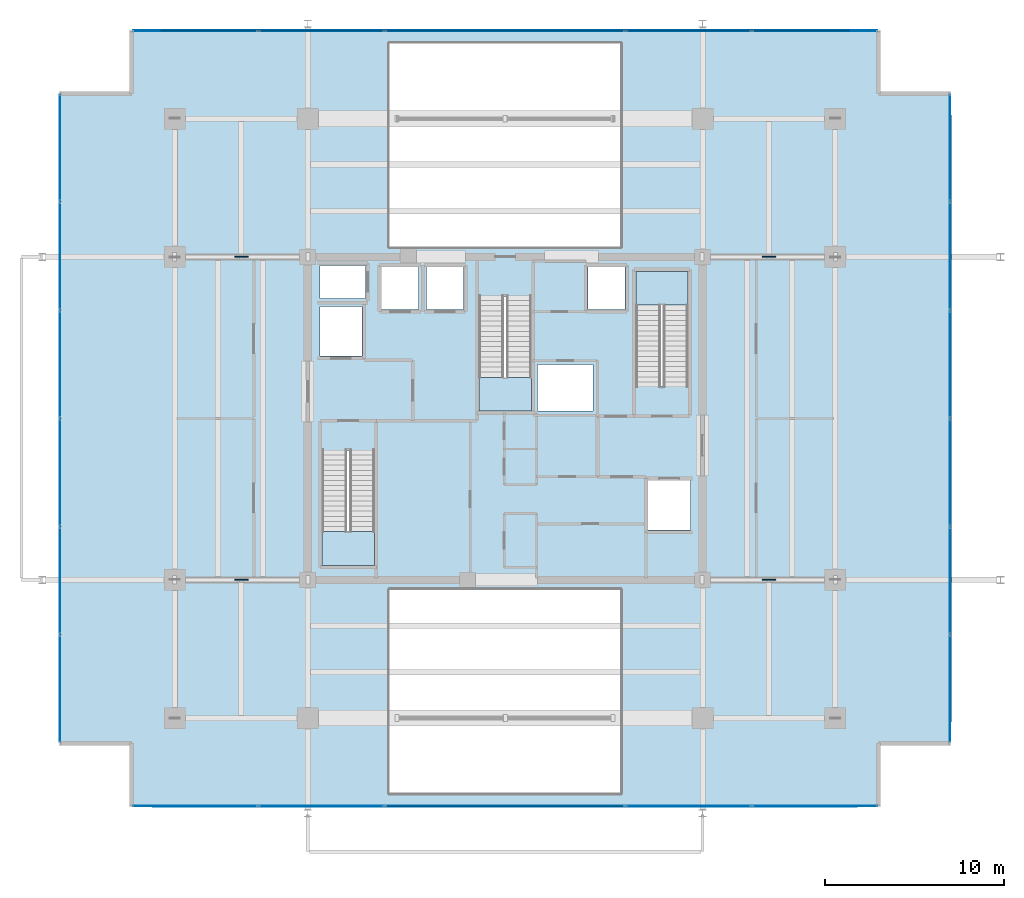
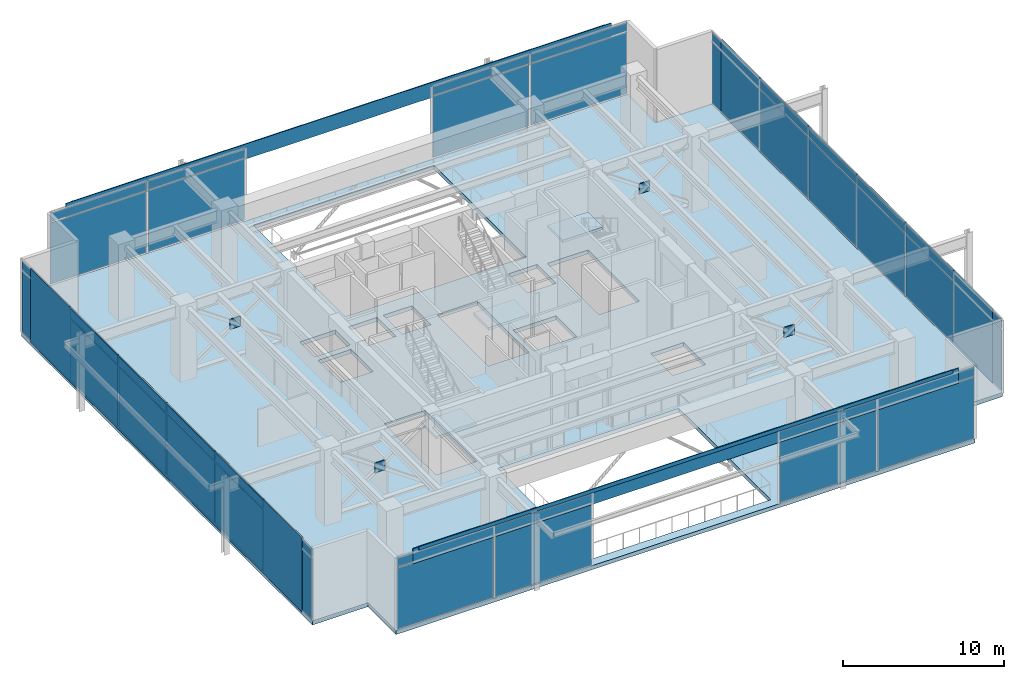
# One storey, part 19 of 26: 50 plates, 4 slabs, 9 elements without a shape of their own.
"""IFC4 building model written with IfcOpenShell, lengths in metres."""

from ifc_helpers import new_model, si_unit, direction, frame, origin, origin_2d, place, context, subcontext, project, spatial, polyline, rectangle, outline, extrude, material, layer, layer_set, type_object, element, aggregate, save


model = new_model("IFC4")

# Units and contexts
model_context = context("Model", 3, precision=1e-05, world=origin(), true_north=direction((0.0, 1.0)))
body_context = subcontext(model_context, "Body", "Model", "MODEL_VIEW")
ifc_project = project(units=[si_unit("LENGTHUNIT", "METRE"), si_unit("AREAUNIT", "SQUARE_METRE"), si_unit("VOLUMEUNIT", "CUBIC_METRE"), si_unit("PLANEANGLEUNIT", "RADIAN"), si_unit("MASSUNIT", "GRAM", prefix="KILO")], contexts=[model_context])

# Site, building, storey
site_placement = place(None, origin())
site = spatial("IfcSite", under=ifc_project, at=site_placement, CompositionType="ELEMENT")
building_placement = place(site_placement, origin())
building = spatial("IfcBuilding", under=site, at=building_placement, Name="Kovane Verandah Tower", CompositionType="ELEMENT")
storey_placement = place(building_placement, frame((0.0, 0.0, 301.0)))
storey = spatial("IfcBuildingStorey", under=building, at=storey_placement, Name="L70", CompositionType="ELEMENT", Elevation=301.0)

# Curtain wall, plates
ifc_material_1 = material(Name="Champagne Anodised Aluminium Frame with Low-E Clear Laminated Glass", Category="aluminium")
curtain_wall_type = type_object("IfcCurtainWallType", Name="CW-SYS-05-HIGH", PredefinedType="NOTDEFINED", material=ifc_material_1)
curtain_wall_1_placement = place(storey_placement, origin())
curtain_wall_1 = element("IfcCurtainWall", 1, at=curtain_wall_1_placement, inside=storey, type_object=curtain_wall_type, Name="L70 South-West Wind-Portal Curtain Wall 1", PredefinedType="NOTDEFINED")
ifc_material_2 = material(Name="Pale Champagne Anodised Aluminium Insulated Spandrel", Category="aluminium")
ifc_layer_1 = layer(ifc_material_2, 0.0400390625)
ifc_layer_set_1 = layer_set([ifc_layer_1], Name="Pale Champagne Anodised Aluminium Insulated Spandrel")
plate_type_1 = type_object("IfcPlateType", Name="PL-CW-SPD-40", PredefinedType="SHEET", material=ifc_layer_set_1)
plate_1_placement = place(storey_placement, frame((22.72509765625, 5.89990234375, 4.85498046875), z_axis=(0.0, 0.0, 1.0), x_axis=(1.0, 0.0, 0.0)))
plate_1 = element("IfcPlate", 2, at=plate_1_placement, type_object=plate_type_1, Name="L70 South-West Wind-Portal Curtain Wall 1 Spandrel Panel 1", PredefinedType="SHEET", context=body_context, shape_type="SweptSolid", body=[
    extrude(rectangle(XDim=6.909912109375, YDim=0.0400390625, at=origin_2d()), origin(), (0.0, 0.0, 1.0), 0.639892578125),
])
plate_2_placement = place(storey_placement, frame((29.77490234375, 5.89990234375, 4.85498046875), z_axis=(0.0, 0.0, 1.0), x_axis=(1.0, 0.0, 0.0)))
plate_2 = element("IfcPlate", 3, at=plate_2_placement, type_object=plate_type_1, Name="L70 South-West Wind-Portal Curtain Wall 1 Spandrel Panel 2", PredefinedType="SHEET", context=body_context, shape_type="SweptSolid", body=[
    extrude(rectangle(XDim=6.909912109375, YDim=0.0400390625, at=origin_2d()), origin(), (0.0, 0.0, 1.0), 0.639892578125),
])

curtain_wall_2_placement = place(storey_placement, origin())
curtain_wall_2 = element("IfcCurtainWall", 4, at=curtain_wall_2_placement, inside=storey, type_object=curtain_wall_type, Name="L70 South-East Wind-Portal Curtain Wall 1", PredefinedType="NOTDEFINED")
plate_3_placement = place(storey_placement, frame((50.22509765625, 5.89990234375, 4.85498046875), z_axis=(0.0, 0.0, 1.0), x_axis=(1.0, 0.0, 0.0)))
plate_3 = element("IfcPlate", 5, at=plate_3_placement, type_object=plate_type_1, Name="L70 South-East Wind-Portal Curtain Wall 1 Spandrel Panel 1", PredefinedType="SHEET", context=body_context, shape_type="SweptSolid", body=[
    extrude(rectangle(XDim=6.909912109375, YDim=0.0400390625, at=origin_2d()), origin(), (0.0, 0.0, 1.0), 0.639892578125),
])
plate_4_placement = place(storey_placement, frame((57.27490234375, 5.89990234375, 4.85498046875), z_axis=(0.0, 0.0, 1.0), x_axis=(1.0, 0.0, 0.0)))
plate_4 = element("IfcPlate", 6, at=plate_4_placement, type_object=plate_type_1, Name="L70 South-East Wind-Portal Curtain Wall 1 Spandrel Panel 2", PredefinedType="SHEET", context=body_context, shape_type="SweptSolid", body=[
    extrude(rectangle(XDim=6.909912109375, YDim=0.0400390625, at=origin_2d()), origin(), (0.0, 0.0, 1.0), 0.639892578125),
])

curtain_wall_3_placement = place(storey_placement, origin())
curtain_wall_3 = element("IfcCurtainWall", 7, at=curtain_wall_3_placement, inside=storey, type_object=curtain_wall_type, Name="L70 E Unitised Curtain Wall", PredefinedType="NOTDEFINED")
plate_5_placement = place(storey_placement, frame((64.800048828125, 12.416748046875, 4.85498046875), z_axis=(0.0, 0.0, 1.0), x_axis=(0.0, 1.0, 0.0)))
plate_5 = element("IfcPlate", 8, at=plate_5_placement, type_object=plate_type_1, Name="L70 E Unitised Curtain Wall Spandrel Panel 1", PredefinedType="SHEET", context=body_context, shape_type="SweptSolid", body=[
    extrude(rectangle(XDim=5.893310546875, YDim=0.0400390625, at=origin_2d()), origin(), (0.0, 0.0, 1.0), 0.639892578125),
])
plate_6_placement = place(storey_placement, frame((64.800048828125, 18.449951171875, 4.85498046875), z_axis=(0.0, 0.0, 1.0), x_axis=(0.0, 1.0, 0.0)))
plate_6 = element("IfcPlate", 9, at=plate_6_placement, type_object=plate_type_1, Name="L70 E Unitised Curtain Wall Spandrel Panel 2", PredefinedType="SHEET", context=body_context, shape_type="SweptSolid", body=[
    extrude(rectangle(XDim=5.893310546875, YDim=0.0400390625, at=origin_2d()), origin(), (0.0, 0.0, 1.0), 0.639892578125),
])
plate_7_placement = place(storey_placement, frame((64.800048828125, 24.4833984375, 4.85498046875), z_axis=(0.0, 0.0, 1.0), x_axis=(0.0, 1.0, 0.0)))
plate_7 = element("IfcPlate", 10, at=plate_7_placement, type_object=plate_type_1, Name="L70 E Unitised Curtain Wall Spandrel Panel 3", PredefinedType="SHEET", context=body_context, shape_type="SweptSolid", body=[
    extrude(rectangle(XDim=5.893310546875, YDim=0.0400390625, at=origin_2d()), origin(), (0.0, 0.0, 1.0), 0.639892578125),
])
plate_8_placement = place(storey_placement, frame((64.800048828125, 30.5166015625, 4.85498046875), z_axis=(0.0, 0.0, 1.0), x_axis=(0.0, 1.0, 0.0)))
plate_8 = element("IfcPlate", 11, at=plate_8_placement, type_object=plate_type_1, Name="L70 E Unitised Curtain Wall Spandrel Panel 4", PredefinedType="SHEET", context=body_context, shape_type="SweptSolid", body=[
    extrude(rectangle(XDim=5.893310546875, YDim=0.0400390625, at=origin_2d()), origin(), (0.0, 0.0, 1.0), 0.639892578125),
])
plate_9_placement = place(storey_placement, frame((64.800048828125, 36.550048828125, 4.85498046875), z_axis=(0.0, 0.0, 1.0), x_axis=(0.0, 1.0, 0.0)))
plate_9 = element("IfcPlate", 12, at=plate_9_placement, type_object=plate_type_1, Name="L70 E Unitised Curtain Wall Spandrel Panel 5", PredefinedType="SHEET", context=body_context, shape_type="SweptSolid", body=[
    extrude(rectangle(XDim=5.893310546875, YDim=0.0400390625, at=origin_2d()), origin(), (0.0, 0.0, 1.0), 0.639892578125),
])
plate_10_placement = place(storey_placement, frame((64.800048828125, 42.583251953125, 4.85498046875), z_axis=(0.0, 0.0, 1.0), x_axis=(0.0, 1.0, 0.0)))
plate_10 = element("IfcPlate", 13, at=plate_10_placement, type_object=plate_type_1, Name="L70 E Unitised Curtain Wall Spandrel Panel 6", PredefinedType="SHEET", context=body_context, shape_type="SweptSolid", body=[
    extrude(rectangle(XDim=5.893310546875, YDim=0.0400390625, at=origin_2d()), origin(), (0.0, 0.0, 1.0), 0.639892578125),
])

curtain_wall_4_placement = place(storey_placement, origin())
curtain_wall_4 = element("IfcCurtainWall", 14, at=curtain_wall_4_placement, inside=storey, type_object=curtain_wall_type, Name="L70 North-East Wind-Portal Curtain Wall 1", PredefinedType="NOTDEFINED")
plate_11_placement = place(storey_placement, frame((57.27490234375, 49.10009765625, 4.85498046875), z_axis=(0.0, 0.0, 1.0), x_axis=(-1.0, 0.0, 0.0)))
plate_11 = element("IfcPlate", 15, at=plate_11_placement, type_object=plate_type_1, Name="L70 North-East Wind-Portal Curtain Wall 1 Spandrel Panel 1", PredefinedType="SHEET", context=body_context, shape_type="SweptSolid", body=[
    extrude(rectangle(XDim=6.909912109375, YDim=0.0400390625, at=origin_2d()), origin(), (0.0, 0.0, 1.0), 0.639892578125),
])
plate_12_placement = place(storey_placement, frame((50.22509765625, 49.10009765625, 4.85498046875), z_axis=(0.0, 0.0, 1.0), x_axis=(-1.0, 0.0, 0.0)))
plate_12 = element("IfcPlate", 16, at=plate_12_placement, type_object=plate_type_1, Name="L70 North-East Wind-Portal Curtain Wall 1 Spandrel Panel 2", PredefinedType="SHEET", context=body_context, shape_type="SweptSolid", body=[
    extrude(rectangle(XDim=6.909912109375, YDim=0.0400390625, at=origin_2d()), origin(), (0.0, 0.0, 1.0), 0.639892578125),
])

curtain_wall_5_placement = place(storey_placement, origin())
curtain_wall_5 = element("IfcCurtainWall", 17, at=curtain_wall_5_placement, inside=storey, type_object=curtain_wall_type, Name="L70 North-West Wind-Portal Curtain Wall 1", PredefinedType="NOTDEFINED")
plate_13_placement = place(storey_placement, frame((29.77490234375, 49.10009765625, 4.85498046875), z_axis=(0.0, 0.0, 1.0), x_axis=(-1.0, 0.0, 0.0)))
plate_13 = element("IfcPlate", 18, at=plate_13_placement, type_object=plate_type_1, Name="L70 North-West Wind-Portal Curtain Wall 1 Spandrel Panel 1", PredefinedType="SHEET", context=body_context, shape_type="SweptSolid", body=[
    extrude(rectangle(XDim=6.909912109375, YDim=0.0400390625, at=origin_2d()), origin(), (0.0, 0.0, 1.0), 0.639892578125),
])
plate_14_placement = place(storey_placement, frame((22.72509765625, 49.10009765625, 4.85498046875), z_axis=(0.0, 0.0, 1.0), x_axis=(-1.0, 0.0, 0.0)))
plate_14 = element("IfcPlate", 19, at=plate_14_placement, type_object=plate_type_1, Name="L70 North-West Wind-Portal Curtain Wall 1 Spandrel Panel 2", PredefinedType="SHEET", context=body_context, shape_type="SweptSolid", body=[
    extrude(rectangle(XDim=6.909912109375, YDim=0.0400390625, at=origin_2d()), origin(), (0.0, 0.0, 1.0), 0.639892578125),
])

curtain_wall_6_placement = place(storey_placement, origin())
curtain_wall_6 = element("IfcCurtainWall", 20, at=curtain_wall_6_placement, inside=storey, type_object=curtain_wall_type, Name="L70 W Unitised Curtain Wall", PredefinedType="NOTDEFINED")
plate_15_placement = place(storey_placement, frame((15.199951171875, 42.583251953125, 4.85498046875), z_axis=(0.0, 0.0, 1.0), x_axis=(0.0, -1.0, 0.0)))
plate_15 = element("IfcPlate", 21, at=plate_15_placement, type_object=plate_type_1, Name="L70 W Unitised Curtain Wall Spandrel Panel 1", PredefinedType="SHEET", context=body_context, shape_type="SweptSolid", body=[
    extrude(rectangle(XDim=5.893310546875, YDim=0.0400390625, at=origin_2d()), origin(), (0.0, 0.0, 1.0), 0.639892578125),
])
plate_16_placement = place(storey_placement, frame((15.199951171875, 36.550048828125, 4.85498046875), z_axis=(0.0, 0.0, 1.0), x_axis=(0.0, -1.0, 0.0)))
plate_16 = element("IfcPlate", 22, at=plate_16_placement, type_object=plate_type_1, Name="L70 W Unitised Curtain Wall Spandrel Panel 2", PredefinedType="SHEET", context=body_context, shape_type="SweptSolid", body=[
    extrude(rectangle(XDim=5.893310546875, YDim=0.0400390625, at=origin_2d()), origin(), (0.0, 0.0, 1.0), 0.639892578125),
])
plate_17_placement = place(storey_placement, frame((15.199951171875, 30.5166015625, 4.85498046875), z_axis=(0.0, 0.0, 1.0), x_axis=(0.0, -1.0, 0.0)))
plate_17 = element("IfcPlate", 23, at=plate_17_placement, type_object=plate_type_1, Name="L70 W Unitised Curtain Wall Spandrel Panel 3", PredefinedType="SHEET", context=body_context, shape_type="SweptSolid", body=[
    extrude(rectangle(XDim=5.893310546875, YDim=0.0400390625, at=origin_2d()), origin(), (0.0, 0.0, 1.0), 0.639892578125),
])
plate_18_placement = place(storey_placement, frame((15.199951171875, 24.4833984375, 4.85498046875), z_axis=(0.0, 0.0, 1.0), x_axis=(0.0, -1.0, 0.0)))
plate_18 = element("IfcPlate", 24, at=plate_18_placement, type_object=plate_type_1, Name="L70 W Unitised Curtain Wall Spandrel Panel 4", PredefinedType="SHEET", context=body_context, shape_type="SweptSolid", body=[
    extrude(rectangle(XDim=5.893310546875, YDim=0.0400390625, at=origin_2d()), origin(), (0.0, 0.0, 1.0), 0.639892578125),
])
plate_19_placement = place(storey_placement, frame((15.199951171875, 18.449951171875, 4.85498046875), z_axis=(0.0, 0.0, 1.0), x_axis=(0.0, -1.0, 0.0)))
plate_19 = element("IfcPlate", 25, at=plate_19_placement, type_object=plate_type_1, Name="L70 W Unitised Curtain Wall Spandrel Panel 5", PredefinedType="SHEET", context=body_context, shape_type="SweptSolid", body=[
    extrude(rectangle(XDim=5.893310546875, YDim=0.0400390625, at=origin_2d()), origin(), (0.0, 0.0, 1.0), 0.639892578125),
])
plate_20_placement = place(storey_placement, frame((15.199951171875, 12.416748046875, 4.85498046875), z_axis=(0.0, 0.0, 1.0), x_axis=(0.0, -1.0, 0.0)))
plate_20 = element("IfcPlate", 26, at=plate_20_placement, type_object=plate_type_1, Name="L70 W Unitised Curtain Wall Spandrel Panel 6", PredefinedType="SHEET", context=body_context, shape_type="SweptSolid", body=[
    extrude(rectangle(XDim=5.893310546875, YDim=0.0400390625, at=origin_2d()), origin(), (0.0, 0.0, 1.0), 0.639892578125),
])

# Plate
ifc_material_3 = material(Name="Clear Low-E Laminated Double Glazing", Category="glass")
ifc_layer_2 = layer(ifc_material_3, 0.031982421875)
ifc_layer_set_2 = layer_set([ifc_layer_2], Name="Clear Low-E Laminated Double Glazing")
plate_type_2 = type_object("IfcPlateType", Name="PL-CW-VIS-32", PredefinedType="CURTAIN_PANEL", material=ifc_layer_set_2)
plate_21_placement = place(storey_placement, frame((22.72509765625, 5.89990234375, 0.10009765625), z_axis=(0.0, 0.0, 1.0), x_axis=(1.0, 0.0, 0.0)))
plate_21 = element("IfcPlate", 27, at=plate_21_placement, type_object=plate_type_2, Name="L70 South-West Wind-Portal Curtain Wall 1 Vision Panel 1", PredefinedType="CURTAIN_PANEL", context=body_context, shape_type="SweptSolid", body=[
    extrude(rectangle(XDim=6.909912109375, YDim=0.031982421875, at=origin_2d()), origin(), (0.0, 0.0, 1.0), 4.655029296875),
])

plate_22_placement = place(storey_placement, frame((29.77490234375, 5.89990234375, 0.10009765625), z_axis=(0.0, 0.0, 1.0), x_axis=(1.0, 0.0, 0.0)))
plate_22 = element("IfcPlate", 28, at=plate_22_placement, type_object=plate_type_2, Name="L70 South-West Wind-Portal Curtain Wall 1 Vision Panel 2", PredefinedType="CURTAIN_PANEL", context=body_context, shape_type="SweptSolid", body=[
    extrude(rectangle(XDim=6.909912109375, YDim=0.031982421875, at=origin_2d()), origin(), (0.0, 0.0, 1.0), 4.655029296875),
])

aggregate(curtain_wall_1, [plate_21, plate_1, plate_22, plate_2])

plate_23_placement = place(storey_placement, frame((50.22509765625, 5.89990234375, 0.10009765625), z_axis=(0.0, 0.0, 1.0), x_axis=(1.0, 0.0, 0.0)))
plate_23 = element("IfcPlate", 29, at=plate_23_placement, type_object=plate_type_2, Name="L70 South-East Wind-Portal Curtain Wall 1 Vision Panel 1", PredefinedType="CURTAIN_PANEL", context=body_context, shape_type="SweptSolid", body=[
    extrude(rectangle(XDim=6.909912109375, YDim=0.031982421875, at=origin_2d()), origin(), (0.0, 0.0, 1.0), 4.655029296875),
])

plate_24_placement = place(storey_placement, frame((57.27490234375, 5.89990234375, 0.10009765625), z_axis=(0.0, 0.0, 1.0), x_axis=(1.0, 0.0, 0.0)))
plate_24 = element("IfcPlate", 30, at=plate_24_placement, type_object=plate_type_2, Name="L70 South-East Wind-Portal Curtain Wall 1 Vision Panel 2", PredefinedType="CURTAIN_PANEL", context=body_context, shape_type="SweptSolid", body=[
    extrude(rectangle(XDim=6.909912109375, YDim=0.031982421875, at=origin_2d()), origin(), (0.0, 0.0, 1.0), 4.655029296875),
])

aggregate(curtain_wall_2, [plate_23, plate_3, plate_24, plate_4])

plate_25_placement = place(storey_placement, frame((64.800048828125, 12.416748046875, 0.10009765625), z_axis=(0.0, 0.0, 1.0), x_axis=(0.0, 1.0, 0.0)))
plate_25 = element("IfcPlate", 31, at=plate_25_placement, type_object=plate_type_2, Name="L70 E Unitised Curtain Wall Vision Panel 1", PredefinedType="CURTAIN_PANEL", context=body_context, shape_type="SweptSolid", body=[
    extrude(rectangle(XDim=5.893310546875, YDim=0.031982421875, at=origin_2d()), origin(), (0.0, 0.0, 1.0), 4.655029296875),
])

plate_26_placement = place(storey_placement, frame((64.800048828125, 18.449951171875, 0.10009765625), z_axis=(0.0, 0.0, 1.0), x_axis=(0.0, 1.0, 0.0)))
plate_26 = element("IfcPlate", 32, at=plate_26_placement, type_object=plate_type_2, Name="L70 E Unitised Curtain Wall Vision Panel 2", PredefinedType="CURTAIN_PANEL", context=body_context, shape_type="SweptSolid", body=[
    extrude(rectangle(XDim=5.893310546875, YDim=0.031982421875, at=origin_2d()), origin(), (0.0, 0.0, 1.0), 4.655029296875),
])

plate_27_placement = place(storey_placement, frame((64.800048828125, 24.4833984375, 0.10009765625), z_axis=(0.0, 0.0, 1.0), x_axis=(0.0, 1.0, 0.0)))
plate_27 = element("IfcPlate", 33, at=plate_27_placement, type_object=plate_type_2, Name="L70 E Unitised Curtain Wall Vision Panel 3", PredefinedType="CURTAIN_PANEL", context=body_context, shape_type="SweptSolid", body=[
    extrude(rectangle(XDim=5.893310546875, YDim=0.031982421875, at=origin_2d()), origin(), (0.0, 0.0, 1.0), 4.655029296875),
])

plate_28_placement = place(storey_placement, frame((64.800048828125, 30.5166015625, 0.10009765625), z_axis=(0.0, 0.0, 1.0), x_axis=(0.0, 1.0, 0.0)))
plate_28 = element("IfcPlate", 34, at=plate_28_placement, type_object=plate_type_2, Name="L70 E Unitised Curtain Wall Vision Panel 4", PredefinedType="CURTAIN_PANEL", context=body_context, shape_type="SweptSolid", body=[
    extrude(rectangle(XDim=5.893310546875, YDim=0.031982421875, at=origin_2d()), origin(), (0.0, 0.0, 1.0), 4.655029296875),
])

plate_29_placement = place(storey_placement, frame((64.800048828125, 36.550048828125, 0.10009765625), z_axis=(0.0, 0.0, 1.0), x_axis=(0.0, 1.0, 0.0)))
plate_29 = element("IfcPlate", 35, at=plate_29_placement, type_object=plate_type_2, Name="L70 E Unitised Curtain Wall Vision Panel 5", PredefinedType="CURTAIN_PANEL", context=body_context, shape_type="SweptSolid", body=[
    extrude(rectangle(XDim=5.893310546875, YDim=0.031982421875, at=origin_2d()), origin(), (0.0, 0.0, 1.0), 4.655029296875),
])

plate_30_placement = place(storey_placement, frame((64.800048828125, 42.583251953125, 0.10009765625), z_axis=(0.0, 0.0, 1.0), x_axis=(0.0, 1.0, 0.0)))
plate_30 = element("IfcPlate", 36, at=plate_30_placement, type_object=plate_type_2, Name="L70 E Unitised Curtain Wall Vision Panel 6", PredefinedType="CURTAIN_PANEL", context=body_context, shape_type="SweptSolid", body=[
    extrude(rectangle(XDim=5.893310546875, YDim=0.031982421875, at=origin_2d()), origin(), (0.0, 0.0, 1.0), 4.655029296875),
])

aggregate(curtain_wall_3, [plate_25, plate_5, plate_26, plate_6, plate_27, plate_7, plate_28, plate_8, plate_29, plate_9, plate_30, plate_10])

plate_31_placement = place(storey_placement, frame((57.27490234375, 49.10009765625, 0.10009765625), z_axis=(0.0, 0.0, 1.0), x_axis=(-1.0, 0.0, 0.0)))
plate_31 = element("IfcPlate", 37, at=plate_31_placement, type_object=plate_type_2, Name="L70 North-East Wind-Portal Curtain Wall 1 Vision Panel 1", PredefinedType="CURTAIN_PANEL", context=body_context, shape_type="SweptSolid", body=[
    extrude(rectangle(XDim=6.909912109375, YDim=0.031982421875, at=origin_2d()), origin(), (0.0, 0.0, 1.0), 4.655029296875),
])

plate_32_placement = place(storey_placement, frame((50.22509765625, 49.10009765625, 0.10009765625), z_axis=(0.0, 0.0, 1.0), x_axis=(-1.0, 0.0, 0.0)))
plate_32 = element("IfcPlate", 38, at=plate_32_placement, type_object=plate_type_2, Name="L70 North-East Wind-Portal Curtain Wall 1 Vision Panel 2", PredefinedType="CURTAIN_PANEL", context=body_context, shape_type="SweptSolid", body=[
    extrude(rectangle(XDim=6.909912109375, YDim=0.031982421875, at=origin_2d()), origin(), (0.0, 0.0, 1.0), 4.655029296875),
])

aggregate(curtain_wall_4, [plate_31, plate_11, plate_32, plate_12])

plate_33_placement = place(storey_placement, frame((29.77490234375, 49.10009765625, 0.10009765625), z_axis=(0.0, 0.0, 1.0), x_axis=(-1.0, 0.0, 0.0)))
plate_33 = element("IfcPlate", 39, at=plate_33_placement, type_object=plate_type_2, Name="L70 North-West Wind-Portal Curtain Wall 1 Vision Panel 1", PredefinedType="CURTAIN_PANEL", context=body_context, shape_type="SweptSolid", body=[
    extrude(rectangle(XDim=6.909912109375, YDim=0.031982421875, at=origin_2d()), origin(), (0.0, 0.0, 1.0), 4.655029296875),
])

plate_34_placement = place(storey_placement, frame((22.72509765625, 49.10009765625, 0.10009765625), z_axis=(0.0, 0.0, 1.0), x_axis=(-1.0, 0.0, 0.0)))
plate_34 = element("IfcPlate", 40, at=plate_34_placement, type_object=plate_type_2, Name="L70 North-West Wind-Portal Curtain Wall 1 Vision Panel 2", PredefinedType="CURTAIN_PANEL", context=body_context, shape_type="SweptSolid", body=[
    extrude(rectangle(XDim=6.909912109375, YDim=0.031982421875, at=origin_2d()), origin(), (0.0, 0.0, 1.0), 4.655029296875),
])

aggregate(curtain_wall_5, [plate_33, plate_13, plate_34, plate_14])

plate_35_placement = place(storey_placement, frame((15.199951171875, 42.583251953125, 0.10009765625), z_axis=(0.0, 0.0, 1.0), x_axis=(0.0, -1.0, 0.0)))
plate_35 = element("IfcPlate", 41, at=plate_35_placement, type_object=plate_type_2, Name="L70 W Unitised Curtain Wall Vision Panel 1", PredefinedType="CURTAIN_PANEL", context=body_context, shape_type="SweptSolid", body=[
    extrude(rectangle(XDim=5.893310546875, YDim=0.031982421875, at=origin_2d()), origin(), (0.0, 0.0, 1.0), 4.655029296875),
])

plate_36_placement = place(storey_placement, frame((15.199951171875, 36.550048828125, 0.10009765625), z_axis=(0.0, 0.0, 1.0), x_axis=(0.0, -1.0, 0.0)))
plate_36 = element("IfcPlate", 42, at=plate_36_placement, type_object=plate_type_2, Name="L70 W Unitised Curtain Wall Vision Panel 2", PredefinedType="CURTAIN_PANEL", context=body_context, shape_type="SweptSolid", body=[
    extrude(rectangle(XDim=5.893310546875, YDim=0.031982421875, at=origin_2d()), origin(), (0.0, 0.0, 1.0), 4.655029296875),
])

plate_37_placement = place(storey_placement, frame((15.199951171875, 30.5166015625, 0.10009765625), z_axis=(0.0, 0.0, 1.0), x_axis=(0.0, -1.0, 0.0)))
plate_37 = element("IfcPlate", 43, at=plate_37_placement, type_object=plate_type_2, Name="L70 W Unitised Curtain Wall Vision Panel 3", PredefinedType="CURTAIN_PANEL", context=body_context, shape_type="SweptSolid", body=[
    extrude(rectangle(XDim=5.893310546875, YDim=0.031982421875, at=origin_2d()), origin(), (0.0, 0.0, 1.0), 4.655029296875),
])

plate_38_placement = place(storey_placement, frame((15.199951171875, 24.4833984375, 0.10009765625), z_axis=(0.0, 0.0, 1.0), x_axis=(0.0, -1.0, 0.0)))
plate_38 = element("IfcPlate", 44, at=plate_38_placement, type_object=plate_type_2, Name="L70 W Unitised Curtain Wall Vision Panel 4", PredefinedType="CURTAIN_PANEL", context=body_context, shape_type="SweptSolid", body=[
    extrude(rectangle(XDim=5.893310546875, YDim=0.031982421875, at=origin_2d()), origin(), (0.0, 0.0, 1.0), 4.655029296875),
])

plate_39_placement = place(storey_placement, frame((15.199951171875, 18.449951171875, 0.10009765625), z_axis=(0.0, 0.0, 1.0), x_axis=(0.0, -1.0, 0.0)))
plate_39 = element("IfcPlate", 45, at=plate_39_placement, type_object=plate_type_2, Name="L70 W Unitised Curtain Wall Vision Panel 5", PredefinedType="CURTAIN_PANEL", context=body_context, shape_type="SweptSolid", body=[
    extrude(rectangle(XDim=5.893310546875, YDim=0.031982421875, at=origin_2d()), origin(), (0.0, 0.0, 1.0), 4.655029296875),
])

plate_40_placement = place(storey_placement, frame((15.199951171875, 12.416748046875, 0.10009765625), z_axis=(0.0, 0.0, 1.0), x_axis=(0.0, -1.0, 0.0)))
plate_40 = element("IfcPlate", 46, at=plate_40_placement, type_object=plate_type_2, Name="L70 W Unitised Curtain Wall Vision Panel 6", PredefinedType="CURTAIN_PANEL", context=body_context, shape_type="SweptSolid", body=[
    extrude(rectangle(XDim=5.893310546875, YDim=0.031982421875, at=origin_2d()), origin(), (0.0, 0.0, 1.0), 4.655029296875),
])

aggregate(curtain_wall_6, [plate_35, plate_15, plate_36, plate_16, plate_37, plate_17, plate_38, plate_18, plate_39, plate_19, plate_40, plate_20])

# Plates
ifc_material_4 = material(Name="Cyclone-Rated Acoustic Storm Aluminium Louvre", Category="aluminium")
ifc_layer_3 = layer(ifc_material_4, 0.074951171875)
ifc_layer_set_3 = layer_set([ifc_layer_3], Name="Cyclone-Rated Acoustic Storm Aluminium Louvre")
plate_type_3 = type_object("IfcPlateType", Name="PL-LOUVRE-75", PredefinedType="USERDEFINED", material=ifc_layer_set_3)
for number, where, z_axis, x_axis, name in (
    (47, (64.81494140625, 27.5, -0.02001953125), (0.0, 0.0, 1.0), (0.0, 1.0, 0.0), "L70 E Cyclone Storm Louvre Bank"),
    (48, (15.18505859375, 27.5, -0.02001953125), (0.0, 0.0, 1.0), (0.0, -1.0, 0.0), "L70 W Cyclone Storm Louvre Bank"),
):
    element("IfcPlate", number, at=place(storey_placement, frame(where, z_axis=z_axis, x_axis=x_axis)), inside=storey, type_object=plate_type_3, Name=name, ObjectType="LOUVRE", PredefinedType="USERDEFINED", context=body_context, shape_type="SweptSolid", body=[
        extrude(rectangle(XDim=33.800048828125, YDim=0.074951171875, at=origin_2d()), origin(), (0.0, 0.0, 1.0), 5.64501953125),
    ])
ifc_material_5 = material(Name="Perforated Pale Champagne Anodised Aluminium Solar Screen", Category="aluminium")
ifc_layer_4 = layer(ifc_material_5, 0.050048828125)
ifc_layer_set_4 = layer_set([ifc_layer_4], Name="Perforated Pale Champagne Anodised Aluminium Solar Screen")
plate_type_4 = type_object("IfcPlateType", Name="PL-SCREEN-50", PredefinedType="USERDEFINED", material=ifc_layer_set_4)
for number, where, z_axis, x_axis, name in (
    (49, (40.0, 5.885009765625, 4.68505859375), (0.0, 0.0, 1.0), (1.0, 0.0, 0.0), "L70 S Perforated Champagne-Gold Solar Screen"),
    (50, (40.0, 49.114990234375, 4.68505859375), (0.0, 0.0, 1.0), (-1.0, 0.0, 0.0), "L70 N Perforated Champagne-Gold Solar Screen"),
):
    element("IfcPlate", number, at=place(storey_placement, frame(where, z_axis=z_axis, x_axis=x_axis)), inside=storey, type_object=plate_type_4, Name=name, ObjectType="SCREEN", PredefinedType="USERDEFINED", context=body_context, shape_type="SweptSolid", body=[
        extrude(rectangle(XDim=39.199951171875, YDim=0.050048828125, at=origin_2d()), origin(), (0.0, 0.0, 1.0), 1.14990234375),
    ])
ifc_material_6 = material(Name="Extruded Pale-Bronze Aluminium Aerofoil Sunshade", Category="aluminium")
ifc_layer_5 = layer(ifc_material_6, 0.06005859375)
ifc_layer_set_5 = layer_set([ifc_layer_5], Name="Extruded Pale-Bronze Aluminium Aerofoil Sunshade")
plate_type_5 = type_object("IfcPlateType", Name="PL-SUNSHADE-60", PredefinedType="USERDEFINED", material=ifc_layer_set_5)
for number, where, z_axis, x_axis, name in (
    (51, (40.0, 5.8798828125, 5.56494140625), (0.0, 0.0, 1.0), (1.0, 0.0, 0.0), "L70 S Subtropical Aerofoil Sunshade"),
    (52, (40.0, 49.1201171875, 5.56494140625), (0.0, 0.0, 1.0), (-1.0, 0.0, 0.0), "L70 N Subtropical Aerofoil Sunshade"),
):
    element("IfcPlate", number, at=place(storey_placement, frame(where, z_axis=z_axis, x_axis=x_axis)), inside=storey, type_object=plate_type_5, Name=name, ObjectType="SUNSHADE", PredefinedType="USERDEFINED", context=body_context, shape_type="SweptSolid", body=[
        extrude(rectangle(XDim=38.39990234375, YDim=0.06005859375, at=origin_2d()), origin(), (0.0, 0.0, 1.0), 0.280029296875),
    ])
ifc_material_7 = material(Name="Steel S460", Category="steel")
ifc_layer_6 = layer(ifc_material_7, 0.06005859375)
ifc_layer_set_6 = layer_set([ifc_layer_6], Name="Steel S460")
plate_type_6 = type_object("IfcPlateType", Name="PL-XNODE-60", PredefinedType="USERDEFINED", material=ifc_layer_set_6)
for number, where, z_axis, x_axis, name in (
    (53, (25.300048828125, 18.5, 2.33740234375), (0.0, 0.0, 1.0), (-1.0, 0.0, 0.0), "L70 Outrigger X-Brace Crossing Gusset OW1"),
    (54, (25.300048828125, 36.5, 2.33740234375), (0.0, 0.0, 1.0), (-1.0, 0.0, 0.0), "L70 Outrigger X-Brace Crossing Gusset OW2"),
    (55, (54.699951171875, 18.5, 2.33740234375), (0.0, 0.0, 1.0), (1.0, 0.0, 0.0), "L70 Outrigger X-Brace Crossing Gusset OE1"),
    (56, (54.699951171875, 36.5, 2.33740234375), (0.0, 0.0, 1.0), (1.0, 0.0, 0.0), "L70 Outrigger X-Brace Crossing Gusset OE2"),
):
    element("IfcPlate", number, at=place(storey_placement, frame(where, z_axis=z_axis, x_axis=x_axis)), inside=storey, type_object=plate_type_6, Name=name, ObjectType="GUSSET", PredefinedType="USERDEFINED", context=body_context, shape_type="SweptSolid", body=[
        extrude(rectangle(XDim=0.75, YDim=0.06005859375, at=origin_2d()), origin(), (0.0, 0.0, 1.0), 0.75),
    ])

# Slab
ifc_material_8 = material(Name="Concrete C60/75", Category="concrete")
ifc_layer_7 = layer(ifc_material_8, 0.300048828125)
ifc_layer_set_7 = layer_set([ifc_layer_7], Name="Concrete C60/75")
slab_type_1 = type_object("IfcSlabType", Name="SL-HVY-300", PredefinedType="FLOOR", material=ifc_layer_set_7)
slab_1_placement = place(storey_placement, frame((0.0, 0.0, -0.300048828125)))
element("IfcSlab", 57, at=slab_1_placement, inside=storey, type_object=slab_type_1, Name="L70 Wind-Portal Outrigger Floor Slab", PredefinedType="FLOOR", context=body_context, shape_type="SweptSolid", body=[
    extrude(outline(polyline([(19.199951171875, 5.89990234375), (60.800048828125, 5.89990234375), (60.800048828125, 9.39990234375), (64.800048828125, 9.39990234375), (64.800048828125, 45.60009765625), (60.800048828125, 45.60009765625), (60.800048828125, 49.10009765625), (19.199951171875, 49.10009765625), (19.199951171875, 45.60009765625), (15.199951171875, 45.60009765625), (15.199951171875, 9.39990234375), (19.199951171875, 9.39990234375), (19.199951171875, 5.89990234375)]), holes=[polyline([(29.800048828125, 19.300048828125), (32.719970703125, 19.300048828125), (32.719970703125, 25.705078125), (29.800048828125, 25.705078125), (29.800048828125, 19.300048828125)]), polyline([(47.280029296875, 29.294921875), (50.199951171875, 29.294921875), (50.199951171875, 35.699951171875), (47.280029296875, 35.699951171875), (47.280029296875, 29.294921875)]), polyline([(38.5400390625, 27.89990234375), (41.4599609375, 27.89990234375), (41.4599609375, 34.304931640625), (38.5400390625, 34.304931640625), (38.5400390625, 27.89990234375)]), polyline([(29.669921875, 30.969970703125), (32.030029296875, 30.969970703125), (32.030029296875, 33.72998046875), (29.669921875, 33.72998046875), (29.669921875, 30.969970703125)]), polyline([(47.969970703125, 21.27001953125), (50.330078125, 21.27001953125), (50.330078125, 24.030029296875), (47.969970703125, 24.030029296875), (47.969970703125, 21.27001953125)]), polyline([(29.669921875, 34.169921875), (32.22998046875, 34.169921875), (32.22998046875, 36.030029296875), (29.669921875, 36.030029296875), (29.669921875, 34.169921875)]), polyline([(33.1201171875, 33.570068359375), (35.179931640625, 33.570068359375), (35.179931640625, 35.929931640625), (33.1201171875, 35.929931640625), (33.1201171875, 33.570068359375)]), polyline([(35.6201171875, 33.570068359375), (37.679931640625, 33.570068359375), (37.679931640625, 35.929931640625), (35.6201171875, 35.929931640625), (35.6201171875, 33.570068359375)]), polyline([(44.6201171875, 33.570068359375), (46.679931640625, 33.570068359375), (46.679931640625, 35.929931640625), (44.6201171875, 35.929931640625), (44.6201171875, 33.570068359375)]), polyline([(41.800048828125, 27.89990234375), (44.89990234375, 27.89990234375), (44.89990234375, 30.5), (41.800048828125, 30.5), (41.800048828125, 27.89990234375)]), polyline([(33.5, 37.0), (46.5, 37.0), (46.5, 48.449951171875), (33.5, 48.449951171875), (33.5, 37.0)]), polyline([(33.5, 6.550048828125), (46.5, 6.550048828125), (46.5, 18.0), (33.5, 18.0), (33.5, 6.550048828125)])]), origin(), (0.0, 0.0, 1.0), 0.300048828125),
])

# Stair, slab
ifc_material_9 = material(Name="Concrete C45/55", Category="concrete")
stair_type = type_object("IfcStairType", Name="ST-CORE-1380", PredefinedType="HALF_TURN_STAIR", material=ifc_material_9)
stair_1_placement = place(storey_placement, origin())
stair_1 = element("IfcStair", 58, at=stair_1_placement, inside=storey, type_object=stair_type, Name="L70 Exit Stair ST-01", PredefinedType="HALF_TURN_STAIR")
ifc_layer_8 = layer(ifc_material_9, 0.199951171875)
ifc_layer_set_8 = layer_set([ifc_layer_8], Name="Concrete C45/55")
slab_type_2 = type_object("IfcSlabType", Name="SL-LAND-200", PredefinedType="LANDING", material=ifc_layer_set_8)
slab_2_placement = place(storey_placement, frame((0.0, 0.0, 2.699951171875)))
slab_2 = element("IfcSlab", 59, at=slab_2_placement, type_object=slab_type_2, Name="ST-01 landing 1", PredefinedType="LANDING", context=body_context, shape_type="SweptSolid", body=[
    extrude(outline(polyline([(29.800048828125, 21.18994140625), (29.800048828125, 19.300048828125), (32.719970703125, 19.300048828125), (32.719970703125, 21.18994140625), (29.800048828125, 21.18994140625)])), origin(), (0.0, 0.0, 1.0), 0.199951171875),
])
aggregate(stair_1, [slab_2])

stair_2_placement = place(storey_placement, origin())
stair_2 = element("IfcStair", 60, at=stair_2_placement, inside=storey, type_object=stair_type, Name="L70 Exit Stair ST-02", PredefinedType="HALF_TURN_STAIR")
slab_3_placement = place(storey_placement, frame((0.0, 0.0, 2.699951171875)))
slab_3 = element("IfcSlab", 61, at=slab_3_placement, type_object=slab_type_2, Name="ST-02 landing 1", PredefinedType="LANDING", context=body_context, shape_type="SweptSolid", body=[
    extrude(outline(polyline([(50.199951171875, 33.81005859375), (50.199951171875, 35.699951171875), (47.280029296875, 35.699951171875), (47.280029296875, 33.81005859375), (50.199951171875, 33.81005859375)])), origin(), (0.0, 0.0, 1.0), 0.199951171875),
])
aggregate(stair_2, [slab_3])

stair_3_placement = place(storey_placement, origin())
stair_3 = element("IfcStair", 62, at=stair_3_placement, inside=storey, type_object=stair_type, Name="L70 Exit Stair ST-03", PredefinedType="HALF_TURN_STAIR")
slab_4_placement = place(storey_placement, frame((0.0, 0.0, 2.699951171875)))
slab_4 = element("IfcSlab", 63, at=slab_4_placement, type_object=slab_type_2, Name="ST-03 landing 1", PredefinedType="LANDING", context=body_context, shape_type="SweptSolid", body=[
    extrude(outline(polyline([(38.5400390625, 29.7900390625), (38.5400390625, 27.89990234375), (41.4599609375, 27.89990234375), (41.4599609375, 29.7900390625), (38.5400390625, 29.7900390625)])), origin(), (0.0, 0.0, 1.0), 0.199951171875),
])
aggregate(stair_3, [slab_4])

save(model, "model.ifc")
